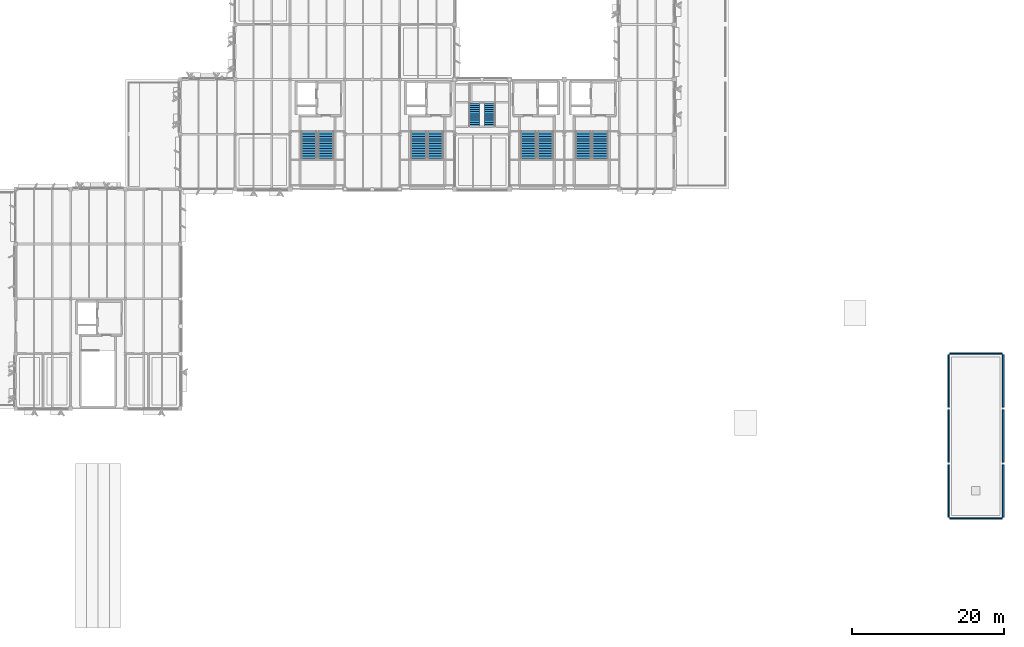
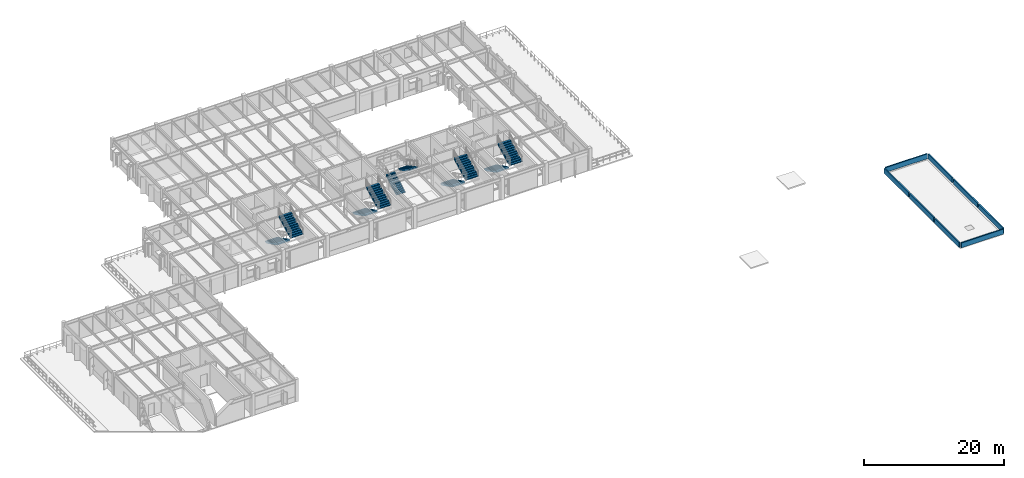
# One storey, part 16 of 35: 10 stair flights, 8 walls, 5 elements without a shape of their own.
"""IFC4 building model written with IfcOpenShell, lengths in metres."""

from ifc_helpers import new_model, si_unit, direction, frame, frame_2d, origin, place, context, subcontext, project, spatial, polyline, rectangle, outline, extrude, material, layer, layer_set, type_object, element, aggregate, save


model = new_model("IFC4")

# Units and contexts
model_context = context("Model", 3, precision=1e-05, world=origin(), true_north=direction((0.0, 1.0)))
body_context = subcontext(model_context, "Body", "Model", "MODEL_VIEW")
ifc_project = project(units=[si_unit("LENGTHUNIT", "METRE"), si_unit("AREAUNIT", "SQUARE_METRE"), si_unit("VOLUMEUNIT", "CUBIC_METRE"), si_unit("PLANEANGLEUNIT", "RADIAN"), si_unit("MASSUNIT", "GRAM", prefix="KILO")], contexts=[model_context])

# Site, building, storey
site_placement = place(None, origin())
site = spatial("IfcSite", under=ifc_project, at=site_placement, CompositionType="ELEMENT")
building_placement = place(site_placement, origin())
building = spatial("IfcBuilding", under=site, at=building_placement, Name="Sillqori Civic Hall", CompositionType="ELEMENT")
storey_placement = place(building_placement, frame((0.0, 0.0, 18.0)))
storey = spatial("IfcBuildingStorey", under=building, at=storey_placement, Name="L05", CompositionType="ELEMENT", Elevation=18.0)

# Walls
ifc_material_1 = material(Name="Precast concrete C40/50 (H40)", Category="concrete")
ifc_layer = layer(ifc_material_1, 0.199951171875)
ifc_layer_set = layer_set([ifc_layer], Name="Precast concrete C40/50 (H40)")
wall_type = type_object("IfcWallType", Name="WP-PAR-200", PredefinedType="PARAPET", material=ifc_layer_set)
for number, where, z_axis, x_axis, name in (
    (1, (143.85009765625, 36.0, 0.0), (0.0, 0.0, 1.0), (-1.0, 0.0, 0.0), "L05 roof parapet 00"),
    (2, (136.800048828125, 36.14990234375, 0.0), (0.0, 0.0, 1.0), (0.0, 1.0, 0.0), "L05 roof parapet 01"),
):
    element("IfcWall", number, at=place(storey_placement, frame(where, z_axis=z_axis, x_axis=x_axis)), inside=storey, type_object=wall_type, Name=name, PredefinedType="PARAPET", context=body_context, shape_type="SweptSolid", body=[
        extrude(rectangle(XDim=6.900146484375, YDim=0.199951171875, at=frame_2d((3.4501953125, 0.0))), origin(), (0.0, 0.0, 1.0), 0.85009765625),
    ])
for number, where, z_axis, x_axis, name in (
    (3, (136.800048828125, 43.35009765625, 0.0), (0.0, 0.0, 1.0), (0.0, 1.0, 0.0), "L05 roof parapet 02"),
    (4, (136.800048828125, 50.550048828125, 0.0), (0.0, 0.0, 1.0), (0.0, 1.0, 0.0), "L05 roof parapet 03"),
):
    element("IfcWall", number, at=place(storey_placement, frame(where, z_axis=z_axis, x_axis=x_axis)), inside=storey, type_object=wall_type, Name=name, PredefinedType="PARAPET", context=body_context, shape_type="SweptSolid", body=[
        extrude(rectangle(XDim=6.89990234375, YDim=0.199951171875, at=frame_2d((3.449951171875, 0.0))), origin(), (0.0, 0.0, 1.0), 0.85009765625),
    ])
wall_1_placement = place(storey_placement, frame((136.949951171875, 57.60009765625, 0.0), z_axis=(0.0, 0.0, 1.0), x_axis=(1.0, 0.0, 0.0)))
element("IfcWall", 5, at=wall_1_placement, inside=storey, type_object=wall_type, Name="L05 roof parapet 04", PredefinedType="PARAPET", context=body_context, shape_type="SweptSolid", body=[
    extrude(rectangle(XDim=6.900146484375, YDim=0.199951171875, at=frame_2d((3.4501953125, 0.0))), origin(), (0.0, 0.0, 1.0), 0.85009765625),
])
for number, where, z_axis, x_axis, name in (
    (6, (144.0, 57.449951171875, 0.0), (0.0, 0.0, 1.0), (0.0, -1.0, 0.0), "L05 roof parapet 05"),
    (7, (144.0, 50.25, 0.0), (0.0, 0.0, 1.0), (0.0, -1.0, 0.0), "L05 roof parapet 06"),
):
    element("IfcWall", number, at=place(storey_placement, frame(where, z_axis=z_axis, x_axis=x_axis)), inside=storey, type_object=wall_type, Name=name, PredefinedType="PARAPET", context=body_context, shape_type="SweptSolid", body=[
        extrude(rectangle(XDim=6.89990234375, YDim=0.199951171875, at=frame_2d((3.449951171875, 0.0))), origin(), (0.0, 0.0, 1.0), 0.85009765625),
    ])
wall_2_placement = place(storey_placement, frame((144.0, 43.050048828125, 0.0), z_axis=(0.0, 0.0, 1.0), x_axis=(0.0, -1.0, 0.0)))
element("IfcWall", 8, at=wall_2_placement, inside=storey, type_object=wall_type, Name="L05 roof parapet 07", PredefinedType="PARAPET", context=body_context, shape_type="SweptSolid", body=[
    extrude(rectangle(XDim=6.900146484375, YDim=0.199951171875, at=frame_2d((3.4501953125, 0.0))), origin(), (0.0, 0.0, 1.0), 0.85009765625),
])

# Stair, stair flights
ifc_material_2 = material(Name="Concrete C35/45 (H35)", Category="concrete")
stair_type_1 = type_object("IfcStairType", Name="STR-CORE-05", PredefinedType="DOUBLE_RETURN_STAIR", material=ifc_material_2)
stair_1_placement = place(storey_placement, origin())
stair_1 = element("IfcStair", 9, at=stair_1_placement, inside=storey, type_object=stair_type_1, Name="L05 Core exit stair ST-05", PredefinedType="DOUBLE_RETURN_STAIR")
stair_flight_type_1 = type_object("IfcStairFlightType", Name="SFL-CORE-220", PredefinedType="STRAIGHT", material=ifc_material_2)
stair_flight_1_placement = place(storey_placement, frame((52.889892578125, 86.77001953125, 0.0), z_axis=(0.0, 0.0, 1.0), x_axis=(0.0, -1.0, 0.0)))
stair_flight_1 = element("IfcStairFlight", 10, at=stair_flight_1_placement, type_object=stair_flight_type_1, Name="ST-05 flight 1", NumberOfRisers=12, NumberOfTreads=11, PredefinedType="STRAIGHT", RiserHeight=0.1625, TreadLength=0.32, context=body_context, shape_type="SweptSolid", body=[
    extrude(outline(polyline([(0.0, 0.0), (0.0, 0.16259765625), (0.320068359375, 0.16259765625), (0.320068359375, 0.324951171875), (0.639892578125, 0.324951171875), (0.639892578125, 0.487548828125), (0.9599609375, 0.487548828125), (0.9599609375, 0.64990234375), (1.280029296875, 0.64990234375), (1.280029296875, 0.8125), (1.60009765625, 0.8125), (1.60009765625, 0.97509765625), (1.919921875, 0.97509765625), (1.919921875, 1.137451171875), (2.239990234375, 1.137451171875), (2.239990234375, 1.300048828125), (2.56005859375, 1.300048828125), (2.56005859375, 1.46240234375), (2.8798828125, 1.46240234375), (2.8798828125, 1.625), (3.199951171875, 1.625), (3.199951171875, 1.78759765625), (3.52001953125, 1.78759765625), (3.52001953125, 1.949951171875), (3.52001953125, 1.540771484375), (0.48583984375, 0.0), (0.0, 0.0)])), frame((0.0, 1.030029296875, 0.0), z_axis=(0.0, -1.0, 0.0), x_axis=(1.0, 0.0, 0.0)), (0.0, 0.0, 1.0), 2.06005859375),
])
stair_flight_2_placement = place(storey_placement, frame((55.110107421875, 83.25, 1.949951171875), z_axis=(0.0, 0.0, 1.0), x_axis=(0.0, 1.0, 0.0)))
stair_flight_2 = element("IfcStairFlight", 11, at=stair_flight_2_placement, type_object=stair_flight_type_1, Name="ST-05 flight 2", NumberOfRisers=12, NumberOfTreads=11, PredefinedType="STRAIGHT", RiserHeight=0.1625, TreadLength=0.32, context=body_context, shape_type="SweptSolid", body=[
    extrude(outline(polyline([(0.0, 0.0), (0.0, 0.16259765625), (0.320068359375, 0.16259765625), (0.320068359375, 0.324951171875), (0.639892578125, 0.324951171875), (0.639892578125, 0.487548828125), (0.9599609375, 0.487548828125), (0.9599609375, 0.64990234375), (1.280029296875, 0.64990234375), (1.280029296875, 0.8125), (1.60009765625, 0.8125), (1.60009765625, 0.97509765625), (1.919921875, 0.97509765625), (1.919921875, 1.137451171875), (2.239990234375, 1.137451171875), (2.239990234375, 1.300048828125), (2.56005859375, 1.300048828125), (2.56005859375, 1.46240234375), (2.8798828125, 1.46240234375), (2.8798828125, 1.625), (3.199951171875, 1.625), (3.199951171875, 1.78759765625), (3.52001953125, 1.78759765625), (3.52001953125, 1.949951171875), (3.52001953125, 1.540771484375), (0.48583984375, 0.0), (0.0, 0.0)])), frame((0.0, 1.030029296875, 0.0), z_axis=(0.0, -1.0, 0.0), x_axis=(1.0, 0.0, 0.0)), (0.0, 0.0, 1.0), 2.06005859375),
])
aggregate(stair_1, [stair_flight_1, stair_flight_2])

stair_type_2 = type_object("IfcStairType", Name="STR-CORE-06", PredefinedType="DOUBLE_RETURN_STAIR", material=ifc_material_2)
stair_2_placement = place(storey_placement, origin())
stair_2 = element("IfcStair", 12, at=stair_2_placement, inside=storey, type_object=stair_type_2, Name="L05 Core exit stair ST-06", PredefinedType="DOUBLE_RETURN_STAIR")
stair_flight_3_placement = place(storey_placement, frame((67.2900390625, 86.77001953125, 0.0), z_axis=(0.0, 0.0, 1.0), x_axis=(0.0, -1.0, 0.0)))
stair_flight_3 = element("IfcStairFlight", 13, at=stair_flight_3_placement, type_object=stair_flight_type_1, Name="ST-06 flight 1", NumberOfRisers=12, NumberOfTreads=11, PredefinedType="STRAIGHT", RiserHeight=0.1625, TreadLength=0.32, context=body_context, shape_type="SweptSolid", body=[
    extrude(outline(polyline([(0.0, 0.0), (0.0, 0.16259765625), (0.320068359375, 0.16259765625), (0.320068359375, 0.324951171875), (0.639892578125, 0.324951171875), (0.639892578125, 0.487548828125), (0.9599609375, 0.487548828125), (0.9599609375, 0.64990234375), (1.280029296875, 0.64990234375), (1.280029296875, 0.8125), (1.60009765625, 0.8125), (1.60009765625, 0.97509765625), (1.919921875, 0.97509765625), (1.919921875, 1.137451171875), (2.239990234375, 1.137451171875), (2.239990234375, 1.300048828125), (2.56005859375, 1.300048828125), (2.56005859375, 1.46240234375), (2.8798828125, 1.46240234375), (2.8798828125, 1.625), (3.199951171875, 1.625), (3.199951171875, 1.78759765625), (3.52001953125, 1.78759765625), (3.52001953125, 1.949951171875), (3.52001953125, 1.540771484375), (0.48583984375, 0.0), (0.0, 0.0)])), frame((0.0, 1.030029296875, 0.0), z_axis=(0.0, -1.0, 0.0), x_axis=(1.0, 0.0, 0.0)), (0.0, 0.0, 1.0), 2.06005859375),
])
stair_flight_4_placement = place(storey_placement, frame((69.510009765625, 83.25, 1.949951171875), z_axis=(0.0, 0.0, 1.0), x_axis=(0.0, 1.0, 0.0)))
stair_flight_4 = element("IfcStairFlight", 14, at=stair_flight_4_placement, type_object=stair_flight_type_1, Name="ST-06 flight 2", NumberOfRisers=12, NumberOfTreads=11, PredefinedType="STRAIGHT", RiserHeight=0.1625, TreadLength=0.32, context=body_context, shape_type="SweptSolid", body=[
    extrude(outline(polyline([(0.0, 0.0), (0.0, 0.16259765625), (0.320068359375, 0.16259765625), (0.320068359375, 0.324951171875), (0.639892578125, 0.324951171875), (0.639892578125, 0.487548828125), (0.9599609375, 0.487548828125), (0.9599609375, 0.64990234375), (1.280029296875, 0.64990234375), (1.280029296875, 0.8125), (1.60009765625, 0.8125), (1.60009765625, 0.97509765625), (1.919921875, 0.97509765625), (1.919921875, 1.137451171875), (2.239990234375, 1.137451171875), (2.239990234375, 1.300048828125), (2.56005859375, 1.300048828125), (2.56005859375, 1.46240234375), (2.8798828125, 1.46240234375), (2.8798828125, 1.625), (3.199951171875, 1.625), (3.199951171875, 1.78759765625), (3.52001953125, 1.78759765625), (3.52001953125, 1.949951171875), (3.52001953125, 1.540771484375), (0.48583984375, 0.0), (0.0, 0.0)])), frame((0.0, 1.030029296875, 0.0), z_axis=(0.0, -1.0, 0.0), x_axis=(1.0, 0.0, 0.0)), (0.0, 0.0, 1.0), 2.06005859375),
])
aggregate(stair_2, [stair_flight_3, stair_flight_4])

stair_type_3 = type_object("IfcStairType", Name="STR-CORE-07", PredefinedType="DOUBLE_RETURN_STAIR", material=ifc_material_2)
stair_3_placement = place(storey_placement, origin())
stair_3 = element("IfcStair", 15, at=stair_3_placement, inside=storey, type_object=stair_type_3, Name="L05 Core exit stair ST-07", PredefinedType="DOUBLE_RETURN_STAIR")
stair_flight_5_placement = place(storey_placement, frame((81.68994140625, 86.77001953125, 0.0), z_axis=(0.0, 0.0, 1.0), x_axis=(0.0, -1.0, 0.0)))
stair_flight_5 = element("IfcStairFlight", 16, at=stair_flight_5_placement, type_object=stair_flight_type_1, Name="ST-07 flight 1", NumberOfRisers=12, NumberOfTreads=11, PredefinedType="STRAIGHT", RiserHeight=0.1625, TreadLength=0.32, context=body_context, shape_type="SweptSolid", body=[
    extrude(outline(polyline([(0.0, 0.0), (0.0, 0.16259765625), (0.320068359375, 0.16259765625), (0.320068359375, 0.324951171875), (0.639892578125, 0.324951171875), (0.639892578125, 0.487548828125), (0.9599609375, 0.487548828125), (0.9599609375, 0.64990234375), (1.280029296875, 0.64990234375), (1.280029296875, 0.8125), (1.60009765625, 0.8125), (1.60009765625, 0.97509765625), (1.919921875, 0.97509765625), (1.919921875, 1.137451171875), (2.239990234375, 1.137451171875), (2.239990234375, 1.300048828125), (2.56005859375, 1.300048828125), (2.56005859375, 1.46240234375), (2.8798828125, 1.46240234375), (2.8798828125, 1.625), (3.199951171875, 1.625), (3.199951171875, 1.78759765625), (3.52001953125, 1.78759765625), (3.52001953125, 1.949951171875), (3.52001953125, 1.540771484375), (0.48583984375, 0.0), (0.0, 0.0)])), frame((0.0, 1.030029296875, 0.0), z_axis=(0.0, -1.0, 0.0), x_axis=(1.0, 0.0, 0.0)), (0.0, 0.0, 1.0), 2.06005859375),
])
stair_flight_6_placement = place(storey_placement, frame((83.909912109375, 83.25, 1.949951171875), z_axis=(0.0, 0.0, 1.0), x_axis=(0.0, 1.0, 0.0)))
stair_flight_6 = element("IfcStairFlight", 17, at=stair_flight_6_placement, type_object=stair_flight_type_1, Name="ST-07 flight 2", NumberOfRisers=12, NumberOfTreads=11, PredefinedType="STRAIGHT", RiserHeight=0.1625, TreadLength=0.32, context=body_context, shape_type="SweptSolid", body=[
    extrude(outline(polyline([(0.0, 0.0), (0.0, 0.16259765625), (0.320068359375, 0.16259765625), (0.320068359375, 0.324951171875), (0.639892578125, 0.324951171875), (0.639892578125, 0.487548828125), (0.9599609375, 0.487548828125), (0.9599609375, 0.64990234375), (1.280029296875, 0.64990234375), (1.280029296875, 0.8125), (1.60009765625, 0.8125), (1.60009765625, 0.97509765625), (1.919921875, 0.97509765625), (1.919921875, 1.137451171875), (2.239990234375, 1.137451171875), (2.239990234375, 1.300048828125), (2.56005859375, 1.300048828125), (2.56005859375, 1.46240234375), (2.8798828125, 1.46240234375), (2.8798828125, 1.625), (3.199951171875, 1.625), (3.199951171875, 1.78759765625), (3.52001953125, 1.78759765625), (3.52001953125, 1.949951171875), (3.52001953125, 1.540771484375), (0.48583984375, 0.0), (0.0, 0.0)])), frame((0.0, 1.030029296875, 0.0), z_axis=(0.0, -1.0, 0.0), x_axis=(1.0, 0.0, 0.0)), (0.0, 0.0, 1.0), 2.06005859375),
])
aggregate(stair_3, [stair_flight_5, stair_flight_6])

stair_type_4 = type_object("IfcStairType", Name="STR-CORE-08", PredefinedType="DOUBLE_RETURN_STAIR", material=ifc_material_2)
stair_4_placement = place(storey_placement, origin())
stair_4 = element("IfcStair", 18, at=stair_4_placement, inside=storey, type_object=stair_type_4, Name="L05 Core exit stair ST-08", PredefinedType="DOUBLE_RETURN_STAIR")
stair_flight_7_placement = place(storey_placement, frame((88.889892578125, 86.77001953125, 0.0), z_axis=(0.0, 0.0, 1.0), x_axis=(0.0, -1.0, 0.0)))
stair_flight_7 = element("IfcStairFlight", 19, at=stair_flight_7_placement, type_object=stair_flight_type_1, Name="ST-08 flight 1", NumberOfRisers=12, NumberOfTreads=11, PredefinedType="STRAIGHT", RiserHeight=0.1625, TreadLength=0.32, context=body_context, shape_type="SweptSolid", body=[
    extrude(outline(polyline([(0.0, 0.0), (0.0, 0.16259765625), (0.320068359375, 0.16259765625), (0.320068359375, 0.324951171875), (0.639892578125, 0.324951171875), (0.639892578125, 0.487548828125), (0.9599609375, 0.487548828125), (0.9599609375, 0.64990234375), (1.280029296875, 0.64990234375), (1.280029296875, 0.8125), (1.60009765625, 0.8125), (1.60009765625, 0.97509765625), (1.919921875, 0.97509765625), (1.919921875, 1.137451171875), (2.239990234375, 1.137451171875), (2.239990234375, 1.300048828125), (2.56005859375, 1.300048828125), (2.56005859375, 1.46240234375), (2.8798828125, 1.46240234375), (2.8798828125, 1.625), (3.199951171875, 1.625), (3.199951171875, 1.78759765625), (3.52001953125, 1.78759765625), (3.52001953125, 1.949951171875), (3.52001953125, 1.540771484375), (0.48583984375, 0.0), (0.0, 0.0)])), frame((0.0, 1.030029296875, 0.0), z_axis=(0.0, -1.0, 0.0), x_axis=(1.0, 0.0, 0.0)), (0.0, 0.0, 1.0), 2.06005859375),
])
stair_flight_8_placement = place(storey_placement, frame((91.110107421875, 83.25, 1.949951171875), z_axis=(0.0, 0.0, 1.0), x_axis=(0.0, 1.0, 0.0)))
stair_flight_8 = element("IfcStairFlight", 20, at=stair_flight_8_placement, type_object=stair_flight_type_1, Name="ST-08 flight 2", NumberOfRisers=12, NumberOfTreads=11, PredefinedType="STRAIGHT", RiserHeight=0.1625, TreadLength=0.32, context=body_context, shape_type="SweptSolid", body=[
    extrude(outline(polyline([(0.0, 0.0), (0.0, 0.16259765625), (0.320068359375, 0.16259765625), (0.320068359375, 0.324951171875), (0.639892578125, 0.324951171875), (0.639892578125, 0.487548828125), (0.9599609375, 0.487548828125), (0.9599609375, 0.64990234375), (1.280029296875, 0.64990234375), (1.280029296875, 0.8125), (1.60009765625, 0.8125), (1.60009765625, 0.97509765625), (1.919921875, 0.97509765625), (1.919921875, 1.137451171875), (2.239990234375, 1.137451171875), (2.239990234375, 1.300048828125), (2.56005859375, 1.300048828125), (2.56005859375, 1.46240234375), (2.8798828125, 1.46240234375), (2.8798828125, 1.625), (3.199951171875, 1.625), (3.199951171875, 1.78759765625), (3.52001953125, 1.78759765625), (3.52001953125, 1.949951171875), (3.52001953125, 1.540771484375), (0.48583984375, 0.0), (0.0, 0.0)])), frame((0.0, 1.030029296875, 0.0), z_axis=(0.0, -1.0, 0.0), x_axis=(1.0, 0.0, 0.0)), (0.0, 0.0, 1.0), 2.06005859375),
])
aggregate(stair_4, [stair_flight_7, stair_flight_8])

ifc_material_3 = material(Name="Steel ASTM A992 and Honed Limestone Treads", Category="masonry")
stair_type_5 = type_object("IfcStairType", Name="STR-MON-390", PredefinedType="STRAIGHT_RUN_STAIR", material=ifc_material_3)
stair_5_placement = place(storey_placement, origin())
stair_5 = element("IfcStair", 21, at=stair_5_placement, inside=storey, type_object=stair_type_5, Name="Mayoral Courtyard Stair L05-L06", PredefinedType="STRAIGHT_RUN_STAIR")
stair_flight_type_2 = type_object("IfcStairFlightType", Name="SFL-MON-165", PredefinedType="STRAIGHT", material=ifc_material_2)
stair_flight_9_placement = place(storey_placement, frame((74.56494140625, 87.39990234375, 0.0), z_axis=(0.0, 0.0, 1.0), x_axis=(0.0, 1.0, 0.0)))
stair_flight_9 = element("IfcStairFlight", 22, at=stair_flight_9_placement, type_object=stair_flight_type_2, Name="MS-18 flight 1", NumberOfRisers=12, NumberOfTreads=11, PredefinedType="STRAIGHT", RiserHeight=0.1625, TreadLength=0.28, context=body_context, shape_type="SweptSolid", body=[
    extrude(outline(polyline([(0.0, 0.0), (0.0, 0.16259765625), (0.280029296875, 0.16259765625), (0.280029296875, 0.324951171875), (0.56005859375, 0.324951171875), (0.56005859375, 0.487548828125), (0.840087890625, 0.487548828125), (0.840087890625, 0.64990234375), (1.1201171875, 0.64990234375), (1.1201171875, 0.8125), (1.39990234375, 0.8125), (1.39990234375, 0.97509765625), (1.679931640625, 0.97509765625), (1.679931640625, 1.137451171875), (1.9599609375, 1.137451171875), (1.9599609375, 1.300048828125), (2.239990234375, 1.300048828125), (2.239990234375, 1.46240234375), (2.52001953125, 1.46240234375), (2.52001953125, 1.625), (2.800048828125, 1.625), (2.800048828125, 1.78759765625), (3.080078125, 1.78759765625), (3.080078125, 1.949951171875), (3.080078125, 1.556396484375), (0.3984375, 0.0), (0.0, 0.0)])), frame((0.0, 0.72509765625, 0.0), z_axis=(0.0, -1.0, 0.0), x_axis=(1.0, 0.0, 0.0)), (0.0, 0.0, 1.0), 1.449951171875),
])
stair_flight_10_placement = place(storey_placement, frame((76.635009765625, 90.47998046875, 1.949951171875), z_axis=(0.0, 0.0, 1.0), x_axis=(0.0, -1.0, 0.0)))
stair_flight_10 = element("IfcStairFlight", 23, at=stair_flight_10_placement, type_object=stair_flight_type_2, Name="MS-18 flight 2", NumberOfRisers=12, NumberOfTreads=11, PredefinedType="STRAIGHT", RiserHeight=0.1625, TreadLength=0.28, context=body_context, shape_type="SweptSolid", body=[
    extrude(outline(polyline([(0.0, 0.0), (0.0, 0.16259765625), (0.280029296875, 0.16259765625), (0.280029296875, 0.324951171875), (0.56005859375, 0.324951171875), (0.56005859375, 0.487548828125), (0.840087890625, 0.487548828125), (0.840087890625, 0.64990234375), (1.1201171875, 0.64990234375), (1.1201171875, 0.8125), (1.39990234375, 0.8125), (1.39990234375, 0.97509765625), (1.679931640625, 0.97509765625), (1.679931640625, 1.137451171875), (1.9599609375, 1.137451171875), (1.9599609375, 1.300048828125), (2.239990234375, 1.300048828125), (2.239990234375, 1.46240234375), (2.52001953125, 1.46240234375), (2.52001953125, 1.625), (2.800048828125, 1.625), (2.800048828125, 1.78759765625), (3.080078125, 1.78759765625), (3.080078125, 1.949951171875), (3.080078125, 1.556396484375), (0.3984375, 0.0), (0.0, 0.0)])), frame((0.0, 0.72509765625, 0.0), z_axis=(0.0, -1.0, 0.0), x_axis=(1.0, 0.0, 0.0)), (0.0, 0.0, 1.0), 1.449951171875),
])
aggregate(stair_5, [stair_flight_9, stair_flight_10])

save(model, "model.ifc")
